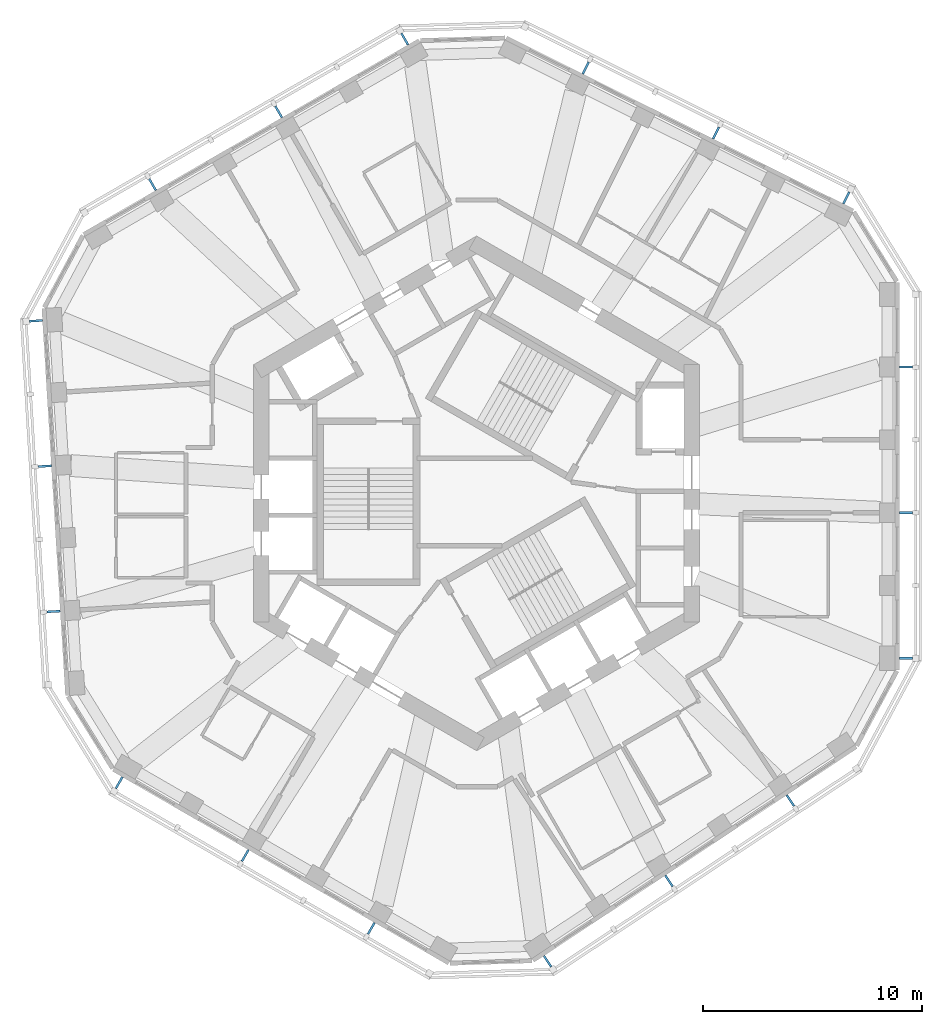
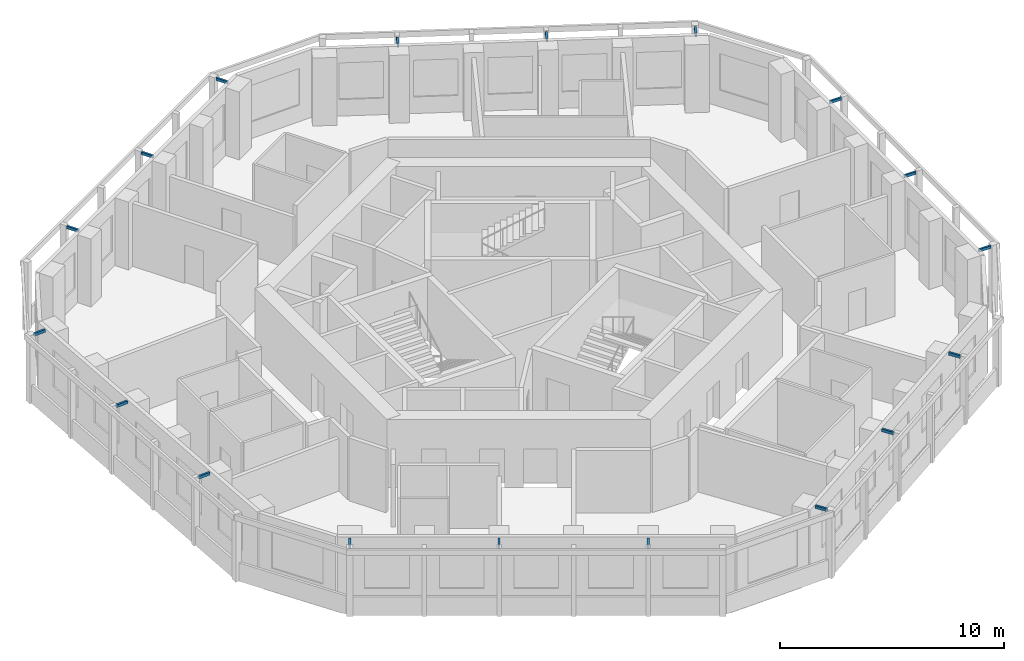
# One storey, part 10 of 11: 18 discrete accessories.
"""IFC4 building model written with IfcOpenShell, lengths in metres."""

from ifc_helpers import new_model, si_unit, direction, frame, origin, origin_2d, place, context, subcontext, project, spatial, rectangle, extrude, material, type_object, element, save


model = new_model("IFC4")

# Units and contexts
model_context = context("Model", 3, precision=1e-05, world=origin(), true_north=direction((0.0, 1.0)))
body_context = subcontext(model_context, "Body", "Model", "MODEL_VIEW")
ifc_project = project(units=[si_unit("LENGTHUNIT", "METRE"), si_unit("AREAUNIT", "SQUARE_METRE"), si_unit("VOLUMEUNIT", "CUBIC_METRE"), si_unit("PLANEANGLEUNIT", "RADIAN"), si_unit("MASSUNIT", "GRAM", prefix="KILO")], contexts=[model_context])

# Site, building, storey
site_placement = place(None, origin())
site = spatial("IfcSite", under=ifc_project, at=site_placement, CompositionType="ELEMENT")
building_placement = place(site_placement, origin())
building = spatial("IfcBuilding", under=site, at=building_placement, Name="Vanh Sen Convention Tower", CompositionType="ELEMENT")
storey_placement = place(building_placement, frame((0.0, 0.0, 270.89990234375)))
storey = spatial("IfcBuildingStorey", under=building, at=storey_placement, Name="L67", CompositionType="ELEMENT", Elevation=270.89990234375)

# Discrete accessories
ifc_material = material(Name="Steel S355", Category="steel")
discrete_accessory_type = type_object("IfcDiscreteAccessoryType", Name="Fin bracket 100 x 150", PredefinedType="BRACKET", material=ifc_material)
for number, where, z_axis, x_axis, name in (
    (1, (19.64990234375, -7.546630859375, 3.500244140625), (0.0, 0.0, 1.0), (1.0, 0.0, 0.0), "Fin bracket E-1 L67"),
    (2, (19.64990234375, -0.88330078125, 3.500244140625), (0.0, 0.0, 1.0), (1.0, 0.0, 0.0), "Fin bracket E-3 L67"),
    (3, (19.64990234375, 5.77978515625, 3.500244140625), (0.0, 0.0, 1.0), (1.0, 0.0, 0.0), "Fin bracket E-5 L67"),
    (4, (16.922119140625, 13.52001953125, 3.500244140625), (0.0, 0.0, 1.0), (0.44619781311, 0.894934361602, 0.0), "Fin bracket NE-1 L67"),
    (5, (10.958740234375, 16.4931640625, 3.500244140625), (0.0, 0.0, 1.0), (0.44619781311, 0.894934361602, 0.0), "Fin bracket NE-3 L67"),
    (6, (4.99560546875, 19.46630859375, 3.500244140625), (0.0, 0.0, 1.0), (0.44619781311, 0.894934361602, 0.0), "Fin bracket NE-5 L67"),
    (7, (-3.289306640625, 20.790771484375, 3.500244140625), (0.0, 0.0, 1.0), (-0.5, 0.866025403784, 0.0), "Fin bracket NW-1 L67"),
    (8, (-9.059814453125, 17.458984375, 3.500244140625), (0.0, 0.0, 1.0), (-0.5, 0.866025403784, 0.0), "Fin bracket NW-3 L67"),
    (9, (-14.83056640625, 14.12744140625, 3.500244140625), (0.0, 0.0, 1.0), (-0.5, 0.866025403784, 0.0), "Fin bracket NW-5 L67"),
    (10, (-20.169677734375, 7.89501953125, 3.500244140625), (0.0, 0.0, 1.0), (-0.998134798422, -0.061048539535, 0.0), "Fin bracket W-1 L67"),
    (11, (-19.7626953125, 1.243896484375, 3.500244140625), (0.0, 0.0, 1.0), (-0.998134798422, -0.061048539535, 0.0), "Fin bracket W-3 L67"),
    (12, (-19.35595703125, -5.40673828125, 3.500244140625), (0.0, 0.0, 1.0), (-0.998134798422, -0.061048539535, 0.0), "Fin bracket W-5 L67"),
    (13, (-16.360595703125, -13.243896484375, 3.500244140625), (0.0, 0.0, 1.0), (-0.5, -0.866025403784, 0.0), "Fin bracket SW-1 L67"),
    (14, (-10.590087890625, -16.57568359375, 3.500244140625), (0.0, 0.0, 1.0), (-0.5, -0.866025403784, 0.0), "Fin bracket SW-3 L67"),
    (15, (-4.819580078125, -19.9072265625, 3.500244140625), (0.0, 0.0, 1.0), (-0.5, -0.866025403784, 0.0), "Fin bracket SW-5 L67"),
    (16, (3.24755859375, -21.414794921875, 3.500244140625), (0.0, 0.0, 1.0), (0.551936985312, -0.833885822067, 0.0), "Fin bracket SE-1 L67"),
    (17, (8.803955078125, -17.737060546875, 3.500244140625), (0.0, 0.0, 1.0), (0.551936985312, -0.833885822067, 0.0), "Fin bracket SE-3 L67"),
    (18, (14.3603515625, -14.059326171875, 3.500244140625), (0.0, 0.0, 1.0), (0.551936985312, -0.833885822067, 0.0), "Fin bracket SE-5 L67"),
):
    element("IfcDiscreteAccessory", number, at=place(storey_placement, frame(where, z_axis=z_axis, x_axis=x_axis)), inside=storey, type_object=discrete_accessory_type, Name=name, PredefinedType="BRACKET", context=body_context, shape_type="SweptSolid", body=[
        extrude(rectangle(XDim=0.60009765625, YDim=0.10009765625, at=origin_2d()), origin(), (0.0, 0.0, 1.0), 0.14990234375),
    ])

save(model, "model.ifc")
